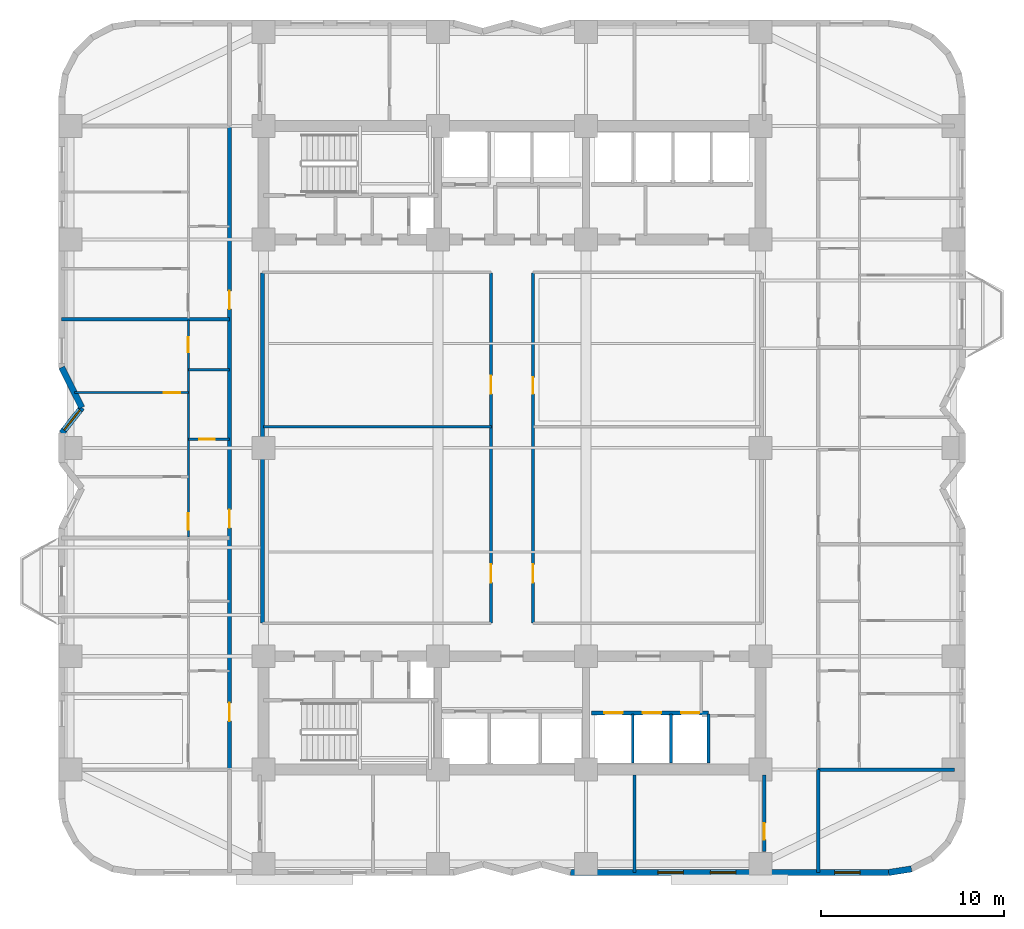
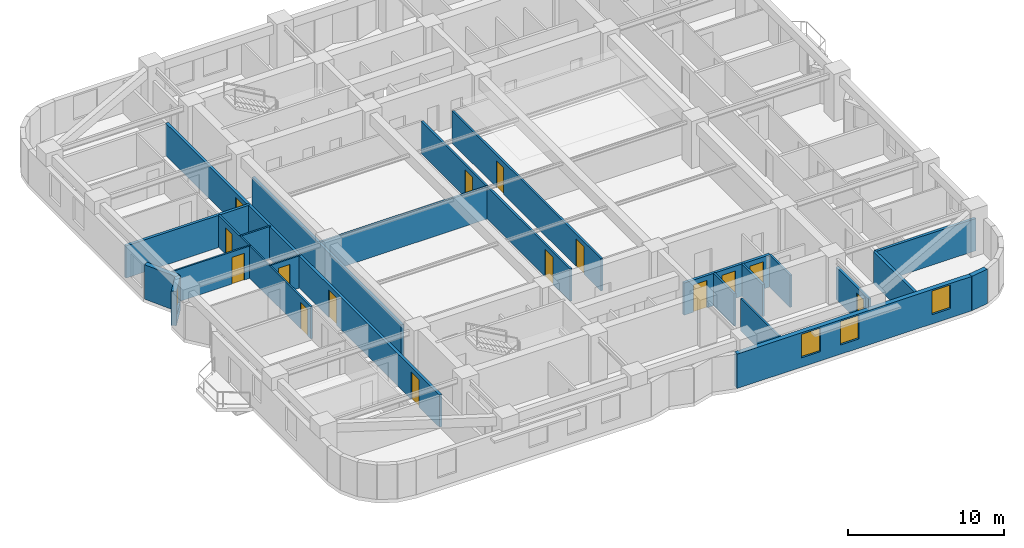
# One storey, part 4 of 10: 22 walls, 15 doors, 4 windows, 19 openings.
"""IFC4 building model written with IfcOpenShell, lengths in metres."""

from ifc_helpers import new_model, si_unit, direction, frame, frame_2d, origin, place, context, subcontext, project, spatial, rectangle, extrude, material, layer, layer_set, type_object, element, fill, save


model = new_model("IFC4")

# Units and contexts
model_context = context("Model", 3, precision=1e-05, world=origin(), true_north=direction((0.0, 1.0)))
body_context = subcontext(model_context, "Body", "Model", "MODEL_VIEW")
ifc_project = project(units=[si_unit("LENGTHUNIT", "METRE"), si_unit("AREAUNIT", "SQUARE_METRE"), si_unit("VOLUMEUNIT", "CUBIC_METRE"), si_unit("PLANEANGLEUNIT", "RADIAN"), si_unit("MASSUNIT", "GRAM", prefix="KILO")], contexts=[model_context])

# Site, building, storey
site_placement = place(None, origin())
site = spatial("IfcSite", under=ifc_project, at=site_placement, CompositionType="ELEMENT")
building_placement = place(site_placement, origin())
building = spatial("IfcBuilding", under=site, at=building_placement, Name="Svetorya Sky Lyceum", CompositionType="ELEMENT")
storey_placement = place(building_placement, frame((0.0, 0.0, 69.5)))
storey = spatial("IfcBuildingStorey", under=building, at=storey_placement, Name="L17", CompositionType="ELEMENT", Elevation=69.5)

# Wall, openings, windows
ifc_material_1 = material(Name="Putilovo limestone rainscreen on autoclaved cellular masonry", Category="masonry")
ifc_layer_1 = layer(ifc_material_1, 0.340087890625)
ifc_layer_set_1 = layer_set([ifc_layer_1], Name="Putilovo limestone rainscreen on autoclaved cellular masonry")
wall_type_1 = type_object("IfcWallType", Name="WL-EXT-340", PredefinedType="SOLIDWALL", material=ifc_layer_set_1)
wall_1_placement = place(storey_placement, frame((42.39990234375, 4.969970703125, 0.0), z_axis=(0.0, 0.0, 1.0), x_axis=(1.0, 0.0, 0.0)))
wall_1 = element("IfcWall", 1, at=wall_1_placement, inside=storey, type_object=wall_type_1, Name="L17 Limestone Exterior Wall 11M", PredefinedType="SOLIDWALL", context=body_context, shape_type="SweptSolid", body=[
    extrude(rectangle(XDim=17.400146484375, YDim=0.340087890625, at=frame_2d((8.7001953125, 0.0))), origin(), (0.0, 0.0, 1.0), 2.699951171875),
])
opening_1_placement = place(wall_1_placement, frame((4.780029296875, 0.0, 0.72998046875)))
opening_1 = element("IfcOpeningElement", 2, at=opening_1_placement, cuts=wall_1, Name="Opening W-R2", PredefinedType="OPENING", context=body_context, shape_type="SweptSolid", body=[
    extrude(rectangle(XDim=1.39990234375, YDim=1.85009765625, at=frame_2d((0.699951171875, 0.925048828125))), frame((0.0, 0.179931640625, 0.0), z_axis=(0.0, -1.0, 0.0), x_axis=(1.0, 0.0, 0.0)), (0.0, 0.0, 1.0), 0.360107421875),
])
opening_2_placement = place(wall_1_placement, frame((7.64990234375, 0.0, 0.72998046875)))
opening_2 = element("IfcOpeningElement", 3, at=opening_2_placement, cuts=wall_1, Name="Opening W-R2", PredefinedType="OPENING", context=body_context, shape_type="SweptSolid", body=[
    extrude(rectangle(XDim=1.39990234375, YDim=1.85009765625, at=frame_2d((0.699951171875, 0.925048828125))), frame((0.0, 0.179931640625, 0.0), z_axis=(0.0, -1.0, 0.0), x_axis=(1.0, 0.0, 0.0)), (0.0, 0.0, 1.0), 0.360107421875),
])
opening_3_placement = place(wall_1_placement, frame((14.43994140625, 0.0, 0.72998046875)))
opening_3 = element("IfcOpeningElement", 4, at=opening_3_placement, cuts=wall_1, Name="Opening W-R2", PredefinedType="OPENING", context=body_context, shape_type="SweptSolid", body=[
    extrude(rectangle(XDim=1.39990234375, YDim=1.85009765625, at=frame_2d((0.699951171875, 0.925048828125))), frame((0.0, 0.179931640625, 0.0), z_axis=(0.0, -1.0, 0.0), x_axis=(1.0, 0.0, 0.0)), (0.0, 0.0, 1.0), 0.360107421875),
])
ifc_material_2 = material(Name="Thermally broken aluminium frame with triple low-E glazing", Category="aluminium")
window_type = type_object("IfcWindowType", Name="WN-RES-140", PartitioningType="SINGLE_PANEL", PredefinedType="WINDOW", material=ifc_material_2)
window_1_placement = place(opening_1_placement, origin())
window_1 = element("IfcWindow", 5, at=window_1_placement, inside=storey, type_object=window_type, Name="L17 Facade Window W-R2.11M.1", OverallHeight=1.85009765625, OverallWidth=1.39990234375, PartitioningType="SINGLE_PANEL", PredefinedType="WINDOW", context=body_context, shape_type="SweptSolid", body=[
    extrude(rectangle(XDim=1.39990234375, YDim=1.85009765625, at=frame_2d((0.699951171875, 0.925048828125))), frame((0.0, 0.030029296875, 0.0), z_axis=(0.0, -1.0, 0.0), x_axis=(1.0, 0.0, 0.0)), (0.0, 0.0, 1.0), 0.06005859375),
])
fill(opening_1, window_1)
window_2_placement = place(opening_2_placement, origin())
window_2 = element("IfcWindow", 6, at=window_2_placement, inside=storey, type_object=window_type, Name="L17 Facade Window W-R2.11M.2", OverallHeight=1.85009765625, OverallWidth=1.39990234375, PartitioningType="SINGLE_PANEL", PredefinedType="WINDOW", context=body_context, shape_type="SweptSolid", body=[
    extrude(rectangle(XDim=1.39990234375, YDim=1.85009765625, at=frame_2d((0.699951171875, 0.925048828125))), frame((0.0, 0.030029296875, 0.0), z_axis=(0.0, -1.0, 0.0), x_axis=(1.0, 0.0, 0.0)), (0.0, 0.0, 1.0), 0.06005859375),
])
fill(opening_2, window_2)
window_3_placement = place(opening_3_placement, origin())
window_3 = element("IfcWindow", 7, at=window_3_placement, inside=storey, type_object=window_type, Name="L17 Facade Window W-R2.11M.3", OverallHeight=1.85009765625, OverallWidth=1.39990234375, PartitioningType="SINGLE_PANEL", PredefinedType="WINDOW", context=body_context, shape_type="SweptSolid", body=[
    extrude(rectangle(XDim=1.39990234375, YDim=1.85009765625, at=frame_2d((0.699951171875, 0.925048828125))), frame((0.0, 0.030029296875, 0.0), z_axis=(0.0, -1.0, 0.0), x_axis=(1.0, 0.0, 0.0)), (0.0, 0.0, 1.0), 0.06005859375),
])
fill(opening_3, window_3)

# Walls
wall_2_placement = place(storey_placement, frame((59.800048828125, 4.969970703125, 0.0), z_axis=(0.0, 0.0, 1.0), x_axis=(0.987685918112, 0.15644975923, 0.0)))
element("IfcWall", 8, at=wall_2_placement, inside=storey, type_object=wall_type_1, Name="L17 Limestone Exterior Wall 12M", PredefinedType="SOLIDWALL", context=body_context, shape_type="SweptSolid", body=[
    extrude(rectangle(XDim=1.260986328125, YDim=0.340087890625, at=frame_2d((0.63037109375, 0.0))), origin(), (0.0, 0.0, 1.0), 2.699951171875),
])
wall_3_placement = place(storey_placement, frame((14.570068359375, 32.60009765625, 0.0), z_axis=(0.0, 0.0, 1.0), x_axis=(0.44713419144, -0.894466888625, 0.0)))
element("IfcWall", 9, at=wall_3_placement, inside=storey, type_object=wall_type_1, Name="L17 Limestone Exterior Wall 41M", PredefinedType="SOLIDWALL", context=body_context, shape_type="SweptSolid", body=[
    extrude(rectangle(XDim=2.459716796875, YDim=0.340087890625, at=frame_2d((1.22998046875, 0.0))), origin(), (0.0, 0.0, 1.0), 2.699951171875),
])

# Wall, opening, window
wall_4_placement = place(storey_placement, frame((15.669921875, 30.39990234375, 0.0), z_axis=(0.0, 0.0, 1.0), x_axis=(-0.617797325735, -0.786337373088, 0.0)))
wall_4 = element("IfcWall", 10, at=wall_4_placement, inside=storey, type_object=wall_type_1, Name="L17 Limestone Exterior Wall 42M", PredefinedType="SOLIDWALL", context=body_context, shape_type="SweptSolid", body=[
    extrude(rectangle(XDim=1.7802734375, YDim=0.340087890625, at=frame_2d((0.89013671875, 0.0))), origin(), (0.0, 0.0, 1.0), 2.699951171875),
])
opening_4_placement = place(wall_4_placement, frame((0.159912109375, 0.0, 0.68994140625)))
opening_4 = element("IfcOpeningElement", 11, at=opening_4_placement, cuts=wall_4, Name="Opening W-R2", PredefinedType="OPENING", context=body_context, shape_type="SweptSolid", body=[
    extrude(rectangle(XDim=1.39990234375, YDim=1.85009765625, at=frame_2d((0.699951171875, 0.925048828125))), frame((0.0, 0.179931640625, 0.0), z_axis=(0.0, -1.0, 0.0), x_axis=(1.0, 0.0, 0.0)), (0.0, 0.0, 1.0), 0.360107421875),
])
window_4_placement = place(opening_4_placement, origin())
window_4 = element("IfcWindow", 12, at=window_4_placement, inside=storey, type_object=window_type, Name="L17 Facade Window W-R2.42M.1", OverallHeight=1.85009765625, OverallWidth=1.39990234375, PartitioningType="SINGLE_PANEL", PredefinedType="WINDOW", context=body_context, shape_type="SweptSolid", body=[
    extrude(rectangle(XDim=1.39990234375, YDim=1.85009765625, at=frame_2d((0.699951171875, 0.925048828125))), frame((0.0, 0.030029296875, 0.0), z_axis=(0.0, -1.0, 0.0), x_axis=(1.0, 0.0, 0.0)), (0.0, 0.0, 1.0), 0.06005859375),
])
fill(opening_4, window_4)

# Wall, opening, door
ifc_material_3 = material(Name="Twin-stud galvanized framing with double fireboard", Category="gypsum")
ifc_layer_2 = layer(ifc_material_3, 0.1201171875)
ifc_layer_set_2 = layer_set([ifc_layer_2], Name="Twin-stud galvanized framing with double fireboard")
wall_type_2 = type_object("IfcWallType", Name="WL-PART-120", PredefinedType="PARTITIONING", material=ifc_layer_set_2)
wall_5_placement = place(storey_placement, frame((21.5, 28.672119140625, 0.0), z_axis=(0.0, 0.0, 1.0), x_axis=(1.0, 0.0, 0.0)))
wall_5 = element("IfcWall", 13, at=wall_5_placement, inside=storey, type_object=wall_type_2, Name="L17 Interior Partition W2-WH1", PredefinedType="PARTITIONING", context=body_context, shape_type="SweptSolid", body=[
    extrude(rectangle(XDim=2.25, YDim=0.1201171875, at=frame_2d((1.125, 0.0))), origin(), (0.0, 0.0, 1.0), 2.530029296875),
])
opening_5_placement = place(wall_5_placement, frame((0.60009765625, 0.0, 0.0)))
opening_5 = element("IfcOpeningElement", 14, at=opening_5_placement, cuts=wall_5, Name="Opening D-BT1", PredefinedType="OPENING", context=body_context, shape_type="SweptSolid", body=[
    extrude(rectangle(XDim=0.85009765625, YDim=2.10009765625, at=frame_2d((0.425048828125, 1.050048828125))), frame((0.0, 0.070068359375, 0.0), z_axis=(0.0, -1.0, 0.0), x_axis=(1.0, 0.0, 0.0)), (0.0, 0.0, 1.0), 0.14013671875),
])
ifc_material_4 = material(Name="Moisture-resistant laminate bathroom door")
door_type_1 = type_object("IfcDoorType", Name="DR-WET-850", OperationType="SINGLE_SWING_LEFT", PredefinedType="DOOR", material=ifc_material_4)
door_1_placement = place(opening_5_placement, origin())
door_1 = element("IfcDoor", 15, at=door_1_placement, inside=storey, type_object=door_type_1, Name="Apartment W2 Bathroom Door", OperationType="SINGLE_SWING_RIGHT", OverallHeight=2.10009765625, OverallWidth=0.85009765625, PredefinedType="DOOR", context=body_context, shape_type="SweptSolid", body=[
    extrude(rectangle(XDim=0.85009765625, YDim=2.10009765625, at=frame_2d((0.425048828125, 1.050048828125))), frame((0.0, 0.02490234375, 0.0), z_axis=(0.0, -1.0, 0.0), x_axis=(1.0, 0.0, 0.0)), (0.0, 0.0, 1.0), 0.050048828125),
])
fill(opening_5, door_1)

wall_6_placement = place(storey_placement, frame((15.259033203125, 31.221923828125, 0.0), z_axis=(0.0, 0.0, 1.0), x_axis=(1.0, 0.0, 0.0)))
wall_6 = element("IfcWall", 16, at=wall_6_placement, inside=storey, type_object=wall_type_2, Name="L17 Interior Partition W2-WL2", PredefinedType="PARTITIONING", context=body_context, shape_type="SweptSolid", body=[
    extrude(rectangle(XDim=6.240966796875, YDim=0.1201171875, at=frame_2d((3.12060546875, 0.0))), origin(), (0.0, 0.0, 1.0), 2.530029296875),
])
opening_6_placement = place(wall_6_placement, frame((4.89111328125, 0.0, 0.0)))
opening_6 = element("IfcOpeningElement", 17, at=opening_6_placement, cuts=wall_6, Name="Opening D-RM1", PredefinedType="OPENING", context=body_context, shape_type="SweptSolid", body=[
    extrude(rectangle(XDim=0.89990234375, YDim=2.10009765625, at=frame_2d((0.449951171875, 1.050048828125))), frame((0.0, 0.070068359375, 0.0), z_axis=(0.0, -1.0, 0.0), x_axis=(1.0, 0.0, 0.0)), (0.0, 0.0, 1.0), 0.14013671875),
])
ifc_material_5 = material(Name="Lacquered birch veneer internal door")
door_type_2 = type_object("IfcDoorType", Name="DR-INT-900", OperationType="SINGLE_SWING_LEFT", PredefinedType="DOOR", material=ifc_material_5)
door_2_placement = place(opening_6_placement, origin())
door_2 = element("IfcDoor", 18, at=door_2_placement, inside=storey, type_object=door_type_2, Name="Apartment W2 Bedroom 2 Door", OperationType="SINGLE_SWING_LEFT", OverallHeight=2.10009765625, OverallWidth=0.89990234375, PredefinedType="DOOR", context=body_context, shape_type="SweptSolid", body=[
    extrude(rectangle(XDim=0.89990234375, YDim=2.10009765625, at=frame_2d((0.449951171875, 1.050048828125))), frame((0.0, 0.02490234375, 0.0), z_axis=(0.0, -1.0, 0.0), x_axis=(1.0, 0.0, 0.0)), (0.0, 0.0, 1.0), 0.050048828125),
])
fill(opening_6, door_2)

# Wall, openings, doors
wall_7_placement = place(storey_placement, frame((21.5, 23.31201171875, 0.0), z_axis=(0.0, 0.0, 1.0), x_axis=(0.0, 1.0, 0.0)))
wall_7 = element("IfcWall", 19, at=wall_7_placement, inside=storey, type_object=wall_type_2, Name="L17 Interior Partition W2-WV", PredefinedType="PARTITIONING", context=body_context, shape_type="SweptSolid", body=[
    extrude(rectangle(XDim=11.887939453125, YDim=0.1201171875, at=frame_2d((5.94384765625, 0.0))), origin(), (0.0, 0.0, 1.0), 2.530029296875),
])
opening_7_placement = place(wall_7_placement, frame((0.409912109375, 0.0, 0.0)))
opening_7 = element("IfcOpeningElement", 20, at=opening_7_placement, cuts=wall_7, Name="Opening D-RM1", PredefinedType="OPENING", context=body_context, shape_type="SweptSolid", body=[
    extrude(rectangle(XDim=0.89990234375, YDim=2.10009765625, at=frame_2d((0.449951171875, 1.050048828125))), frame((0.0, 0.070068359375, 0.0), z_axis=(0.0, -1.0, 0.0), x_axis=(1.0, 0.0, 0.0)), (0.0, 0.0, 1.0), 0.14013671875),
])
opening_8_placement = place(wall_7_placement, frame((10.118896484375, 0.0, 0.0)))
opening_8 = element("IfcOpeningElement", 21, at=opening_8_placement, cuts=wall_7, Name="Opening D-BT2", PredefinedType="OPENING", context=body_context, shape_type="SweptSolid", body=[
    extrude(rectangle(XDim=0.820068359375, YDim=2.080078125, at=frame_2d((0.41015625, 1.0400390625))), frame((0.0, 0.070068359375, 0.0), z_axis=(0.0, -1.0, 0.0), x_axis=(1.0, 0.0, 0.0)), (0.0, 0.0, 1.0), 0.14013671875),
])
door_3_placement = place(opening_7_placement, origin())
door_3 = element("IfcDoor", 22, at=door_3_placement, inside=storey, type_object=door_type_2, Name="Apartment W2 Living Door", OperationType="SINGLE_SWING_LEFT", OverallHeight=2.10009765625, OverallWidth=0.89990234375, PredefinedType="DOOR", context=body_context, shape_type="SweptSolid", body=[
    extrude(rectangle(XDim=0.89990234375, YDim=2.10009765625, at=frame_2d((0.449951171875, 1.050048828125))), frame((0.0, 0.02490234375, 0.0), z_axis=(0.0, -1.0, 0.0), x_axis=(1.0, 0.0, 0.0)), (0.0, 0.0, 1.0), 0.050048828125),
])
fill(opening_7, door_3)
ifc_material_6 = material(Name="Compact moisture-resistant laminate closet door")
door_type_3 = type_object("IfcDoorType", Name="DR-WET-820", OperationType="SINGLE_SWING_LEFT", PredefinedType="DOOR", material=ifc_material_6)
door_4_placement = place(opening_8_placement, origin())
door_4 = element("IfcDoor", 23, at=door_4_placement, inside=storey, type_object=door_type_3, Name="Apartment W2 Study Door", OperationType="SINGLE_SWING_RIGHT", OverallHeight=2.080078125, OverallWidth=0.820068359375, PredefinedType="DOOR", context=body_context, shape_type="SweptSolid", body=[
    extrude(rectangle(XDim=0.820068359375, YDim=2.080078125, at=frame_2d((0.41015625, 1.0400390625))), frame((0.0, 0.02490234375, 0.0), z_axis=(0.0, -1.0, 0.0), x_axis=(1.0, 0.0, 0.0)), (0.0, 0.0, 1.0), 0.050048828125),
])
fill(opening_8, door_4)

# Walls
ifc_material_7 = material(Name="Twin-stud galvanized framing with acoustic board", Category="gypsum")
ifc_layer_3 = layer(ifc_material_7, 0.135009765625)
ifc_layer_set_3 = layer_set([ifc_layer_3], Name="Twin-stud galvanized framing with acoustic board")
wall_type_3 = type_object("IfcWallType", Name="WL-PART-135", PredefinedType="PARTITIONING", material=ifc_layer_set_3)
wall_8_placement = place(storey_placement, frame((21.5, 32.471923828125, 0.0), z_axis=(0.0, 0.0, 1.0), x_axis=(1.0, 0.0, 0.0)))
element("IfcWall", 24, at=wall_8_placement, inside=storey, type_object=wall_type_3, Name="L17 Interior Partition W2-WH2", PredefinedType="PARTITIONING", context=body_context, shape_type="SweptSolid", body=[
    extrude(rectangle(XDim=2.25, YDim=0.135009765625, at=frame_2d((1.125, 0.0))), origin(), (0.0, 0.0, 1.0), 2.530029296875),
])
ifc_material_8 = material(Name="Autoclaved cellular masonry blockwork with acoustic render", Category="masonry")
ifc_layer_4 = layer(ifc_material_8, 0.14990234375)
ifc_layer_set_4 = layer_set([ifc_layer_4], Name="Autoclaved cellular masonry blockwork with acoustic render")
wall_type_4 = type_object("IfcWallType", Name="WL-PART-150", PredefinedType="PARTITIONING", material=ifc_layer_set_4)
for number, where, z_axis, x_axis, name in (
    (25, (45.800048828125, 10.949951171875, 0.0), (0.0, 0.0, 1.0), (0.0, 1.0, 0.0), "L17 Interior Partition SC-PL-DIV1"),
    (26, (47.89990234375, 10.949951171875, 0.0), (0.0, 0.0, 1.0), (0.0, 1.0, 0.0), "L17 Interior Partition SC-PL-DIV2"),
    (27, (49.949951171875, 10.949951171875, 0.0), (0.0, 0.0, 1.0), (0.0, 1.0, 0.0), "L17 Interior Partition SC-PL-END"),
):
    element("IfcWall", number, at=place(storey_placement, frame(where, z_axis=z_axis, x_axis=x_axis)), inside=storey, type_object=wall_type_4, Name=name, PredefinedType="PARTITIONING", context=body_context, shape_type="SweptSolid", body=[
        extrude(rectangle(XDim=2.699951171875, YDim=0.14990234375, at=frame_2d((1.35009765625, 0.0))), origin(), (0.0, 0.0, 1.0), 2.530029296875),
    ])
wall_9_placement = place(storey_placement, frame((25.60009765625, 29.348388671875, 0.0), z_axis=(0.0, 0.0, 1.0), x_axis=(1.0, 0.0, 0.0)))
element("IfcWall", 28, at=wall_9_placement, inside=storey, type_object=wall_type_4, Name="L17 Interior Partition CEN-HW", PredefinedType="PARTITIONING", context=body_context, shape_type="SweptSolid", body=[
    extrude(rectangle(XDim=12.469970703125, YDim=0.14990234375, at=frame_2d((6.23486328125, 0.0))), origin(), (0.0, 0.0, 1.0), 2.530029296875),
])

# Wall, openings, doors
wall_10_placement = place(storey_placement, frame((38.050048828125, 18.6298828125, 0.0), z_axis=(0.0, 0.0, 1.0), x_axis=(0.0, 1.0, 0.0)))
wall_10 = element("IfcWall", 29, at=wall_10_placement, inside=storey, type_object=wall_type_4, Name="L17 Interior Partition CEN-VW", PredefinedType="PARTITIONING", context=body_context, shape_type="SweptSolid", body=[
    extrude(rectangle(XDim=19.14013671875, YDim=0.14990234375, at=frame_2d((9.570068359375, 0.0))), origin(), (0.0, 0.0, 1.0), 2.530029296875),
])
opening_9_placement = place(wall_10_placement, frame((2.199951171875, 0.0, 0.0)))
opening_9 = element("IfcOpeningElement", 30, at=opening_9_placement, cuts=wall_10, Name="Opening D-RM2", PredefinedType="OPENING", context=body_context, shape_type="SweptSolid", body=[
    extrude(rectangle(XDim=1.0, YDim=2.14990234375, at=frame_2d((0.5, 1.074951171875))), frame((0.0, 0.0849609375, 0.0), z_axis=(0.0, -1.0, 0.0), x_axis=(1.0, 0.0, 0.0)), (0.0, 0.0, 1.0), 0.169921875),
])
opening_10_placement = place(wall_10_placement, frame((12.518310546875, 0.0, 0.0)))
opening_10 = element("IfcOpeningElement", 31, at=opening_10_placement, cuts=wall_10, Name="Opening D-RM2", PredefinedType="OPENING", context=body_context, shape_type="SweptSolid", body=[
    extrude(rectangle(XDim=1.0, YDim=2.14990234375, at=frame_2d((0.5, 1.074951171875))), frame((0.0, 0.0849609375, 0.0), z_axis=(0.0, -1.0, 0.0), x_axis=(1.0, 0.0, 0.0)), (0.0, 0.0, 1.0), 0.169921875),
])
ifc_material_9 = material(Name="Solid-core oak acoustic room door")
door_type_4 = type_object("IfcDoorType", Name="DR-INT-1000", OperationType="SINGLE_SWING_LEFT", PredefinedType="DOOR", material=ifc_material_9)
door_5_placement = place(opening_9_placement, origin())
door_5 = element("IfcDoor", 32, at=door_5_placement, inside=storey, type_object=door_type_4, Name="L17 Meeting Door", OperationType="SINGLE_SWING_LEFT", OverallHeight=2.14990234375, OverallWidth=1.0, PredefinedType="DOOR", context=body_context, shape_type="SweptSolid", body=[
    extrude(rectangle(XDim=1.0, YDim=2.14990234375, at=frame_2d((0.5, 1.074951171875))), frame((0.0, 0.02490234375, 0.0), z_axis=(0.0, -1.0, 0.0), x_axis=(1.0, 0.0, 0.0)), (0.0, 0.0, 1.0), 0.050048828125),
])
fill(opening_9, door_5)
door_6_placement = place(opening_10_placement, origin())
door_6 = element("IfcDoor", 33, at=door_6_placement, inside=storey, type_object=door_type_4, Name="L17 Focus Door", OperationType="SINGLE_SWING_RIGHT", OverallHeight=2.14990234375, OverallWidth=1.0, PredefinedType="DOOR", context=body_context, shape_type="SweptSolid", body=[
    extrude(rectangle(XDim=1.0, YDim=2.14990234375, at=frame_2d((0.5, 1.074951171875))), frame((0.0, 0.02490234375, 0.0), z_axis=(0.0, -1.0, 0.0), x_axis=(1.0, 0.0, 0.0)), (0.0, 0.0, 1.0), 0.050048828125),
])
fill(opening_10, door_6)

wall_11_placement = place(storey_placement, frame((40.35009765625, 18.6298828125, 0.0), z_axis=(0.0, 0.0, 1.0), x_axis=(0.0, 1.0, 0.0)))
wall_11 = element("IfcWall", 34, at=wall_11_placement, inside=storey, type_object=wall_type_4, Name="L17 Interior Partition CEN-VE", PredefinedType="PARTITIONING", context=body_context, shape_type="SweptSolid", body=[
    extrude(rectangle(XDim=19.14013671875, YDim=0.14990234375, at=frame_2d((9.570068359375, 0.0))), origin(), (0.0, 0.0, 1.0), 2.530029296875),
])
opening_11_placement = place(wall_11_placement, frame((2.199951171875, 0.0, 0.0)))
opening_11 = element("IfcOpeningElement", 35, at=opening_11_placement, cuts=wall_11, Name="Opening D-RM2", PredefinedType="OPENING", context=body_context, shape_type="SweptSolid", body=[
    extrude(rectangle(XDim=1.0, YDim=2.14990234375, at=frame_2d((0.5, 1.074951171875))), frame((0.0, 0.0849609375, 0.0), z_axis=(0.0, -1.0, 0.0), x_axis=(1.0, 0.0, 0.0)), (0.0, 0.0, 1.0), 0.169921875),
])
opening_12_placement = place(wall_11_placement, frame((12.518310546875, 0.0, 0.0)))
opening_12 = element("IfcOpeningElement", 36, at=opening_12_placement, cuts=wall_11, Name="Opening D-RM1", PredefinedType="OPENING", context=body_context, shape_type="SweptSolid", body=[
    extrude(rectangle(XDim=0.89990234375, YDim=2.10009765625, at=frame_2d((0.449951171875, 1.050048828125))), frame((0.0, 0.0849609375, 0.0), z_axis=(0.0, -1.0, 0.0), x_axis=(1.0, 0.0, 0.0)), (0.0, 0.0, 1.0), 0.169921875),
])
door_7_placement = place(opening_11_placement, origin())
door_7 = element("IfcDoor", 37, at=door_7_placement, inside=storey, type_object=door_type_4, Name="L17 Office Door", OperationType="SINGLE_SWING_RIGHT", OverallHeight=2.14990234375, OverallWidth=1.0, PredefinedType="DOOR", context=body_context, shape_type="SweptSolid", body=[
    extrude(rectangle(XDim=1.0, YDim=2.14990234375, at=frame_2d((0.5, 1.074951171875))), frame((0.0, 0.02490234375, 0.0), z_axis=(0.0, -1.0, 0.0), x_axis=(1.0, 0.0, 0.0)), (0.0, 0.0, 1.0), 0.050048828125),
])
fill(opening_11, door_7)
door_8_placement = place(opening_12_placement, origin())
door_8 = element("IfcDoor", 38, at=door_8_placement, inside=storey, type_object=door_type_2, Name="L17 Pantry Door", OperationType="SINGLE_SWING_LEFT", OverallHeight=2.10009765625, OverallWidth=0.89990234375, PredefinedType="DOOR", context=body_context, shape_type="SweptSolid", body=[
    extrude(rectangle(XDim=0.89990234375, YDim=2.10009765625, at=frame_2d((0.449951171875, 1.050048828125))), frame((0.0, 0.02490234375, 0.0), z_axis=(0.0, -1.0, 0.0), x_axis=(1.0, 0.0, 0.0)), (0.0, 0.0, 1.0), 0.050048828125),
])
fill(opening_12, door_8)

# Wall
wall_12_placement = place(storey_placement, frame((45.89990234375, 4.969970703125, 0.0), z_axis=(0.0, 0.0, 1.0), x_axis=(0.0, 1.0, 0.0)))
element("IfcWall", 39, at=wall_12_placement, inside=storey, type_object=wall_type_4, Name="L17 Interior Partition S-D2", PredefinedType="PARTITIONING", context=body_context, shape_type="SweptSolid", body=[
    extrude(rectangle(XDim=5.330078125, YDim=0.14990234375, at=frame_2d((2.6650390625, 0.0))), origin(), (0.0, 0.0, 1.0), 2.530029296875),
])

# Wall, openings, doors
ifc_material_10 = material(Name="Autoclaved cellular masonry blockwork with gypsum plaster", Category="masonry")
ifc_layer_5 = layer(ifc_material_10, 0.199951171875)
ifc_layer_set_5 = layer_set([ifc_layer_5], Name="Autoclaved cellular masonry blockwork with gypsum plaster")
wall_type_5 = type_object("IfcWallType", Name="WL-PART-200", PredefinedType="PARTITIONING", material=ifc_layer_set_5)
wall_13_placement = place(storey_placement, frame((43.550048828125, 13.699951171875, 0.0), z_axis=(0.0, 0.0, 1.0), x_axis=(1.0, 0.0, 0.0)))
wall_13 = element("IfcWall", 40, at=wall_13_placement, inside=storey, type_object=wall_type_5, Name="L17 Interior Partition SC-PLW", PredefinedType="PARTITIONING", context=body_context, shape_type="SweptSolid", body=[
    extrude(rectangle(XDim=6.39990234375, YDim=0.199951171875, at=frame_2d((3.199951171875, 0.0))), origin(), (0.0, 0.0, 1.0), 2.530029296875),
])
opening_13_placement = place(wall_13_placement, frame((0.699951171875, 0.0, 0.0)))
opening_13 = element("IfcOpeningElement", 41, at=opening_13_placement, cuts=wall_13, Name="Opening LD-P1", PredefinedType="OPENING", context=body_context, shape_type="SweptSolid", body=[
    extrude(rectangle(XDim=1.0, YDim=2.14990234375, at=frame_2d((0.5, 1.074951171875))), frame((0.0, 0.10986328125, 0.0), z_axis=(0.0, -1.0, 0.0), x_axis=(1.0, 0.0, 0.0)), (0.0, 0.0, 1.0), 0.219970703125),
])
opening_14_placement = place(wall_13_placement, frame((2.800048828125, 0.0, 0.0)))
opening_14 = element("IfcOpeningElement", 42, at=opening_14_placement, cuts=wall_13, Name="Opening LD-P1", PredefinedType="OPENING", context=body_context, shape_type="SweptSolid", body=[
    extrude(rectangle(XDim=1.0, YDim=2.14990234375, at=frame_2d((0.5, 1.074951171875))), frame((0.0, 0.10986328125, 0.0), z_axis=(0.0, -1.0, 0.0), x_axis=(1.0, 0.0, 0.0)), (0.0, 0.0, 1.0), 0.219970703125),
])
opening_15_placement = place(wall_13_placement, frame((4.89990234375, 0.0, 0.0)))
opening_15 = element("IfcOpeningElement", 43, at=opening_15_placement, cuts=wall_13, Name="Opening LD-P1", PredefinedType="OPENING", context=body_context, shape_type="SweptSolid", body=[
    extrude(rectangle(XDim=1.0, YDim=2.14990234375, at=frame_2d((0.5, 1.074951171875))), frame((0.0, 0.10986328125, 0.0), z_axis=(0.0, -1.0, 0.0), x_axis=(1.0, 0.0, 0.0)), (0.0, 0.0, 1.0), 0.219970703125),
])
ifc_material_11 = material(Name="Champagne-anodized stainless passenger lift landing door")
door_type_5 = type_object("IfcDoorType", Name="DR-LIFT-1000", OperationType="SLIDING_TO_LEFT", PredefinedType="DOOR", material=ifc_material_11)
door_9_placement = place(opening_13_placement, origin())
door_9 = element("IfcDoor", 44, at=door_9_placement, inside=storey, type_object=door_type_5, Name="L17 Passenger Lift PL1 Landing Door", OperationType="SLIDING_TO_LEFT", OverallHeight=2.14990234375, OverallWidth=1.0, PredefinedType="DOOR", context=body_context, shape_type="SweptSolid", body=[
    extrude(rectangle(XDim=1.0, YDim=2.14990234375, at=frame_2d((0.5, 1.074951171875))), frame((0.0, 0.02490234375, 0.0), z_axis=(0.0, -1.0, 0.0), x_axis=(1.0, 0.0, 0.0)), (0.0, 0.0, 1.0), 0.050048828125),
])
fill(opening_13, door_9)
door_10_placement = place(opening_14_placement, origin())
door_10 = element("IfcDoor", 45, at=door_10_placement, inside=storey, type_object=door_type_5, Name="L17 Passenger Lift PL2 Landing Door", OperationType="SLIDING_TO_LEFT", OverallHeight=2.14990234375, OverallWidth=1.0, PredefinedType="DOOR", context=body_context, shape_type="SweptSolid", body=[
    extrude(rectangle(XDim=1.0, YDim=2.14990234375, at=frame_2d((0.5, 1.074951171875))), frame((0.0, 0.02490234375, 0.0), z_axis=(0.0, -1.0, 0.0), x_axis=(1.0, 0.0, 0.0)), (0.0, 0.0, 1.0), 0.050048828125),
])
fill(opening_14, door_10)
door_11_placement = place(opening_15_placement, origin())
door_11 = element("IfcDoor", 46, at=door_11_placement, inside=storey, type_object=door_type_5, Name="L17 Passenger Lift PL3 Landing Door", OperationType="SLIDING_TO_LEFT", OverallHeight=2.14990234375, OverallWidth=1.0, PredefinedType="DOOR", context=body_context, shape_type="SweptSolid", body=[
    extrude(rectangle(XDim=1.0, YDim=2.14990234375, at=frame_2d((0.5, 1.074951171875))), frame((0.0, 0.02490234375, 0.0), z_axis=(0.0, -1.0, 0.0), x_axis=(1.0, 0.0, 0.0)), (0.0, 0.0, 1.0), 0.050048828125),
])
fill(opening_15, door_11)

# Walls
wall_14_placement = place(storey_placement, frame((25.550048828125, 18.6298828125, 0.0), z_axis=(0.0, 0.0, 1.0), x_axis=(0.0, 1.0, 0.0)))
element("IfcWall", 47, at=wall_14_placement, inside=storey, type_object=wall_type_5, Name="L17 Interior Partition W-CEN-SEP", PredefinedType="PARTITIONING", context=body_context, shape_type="SweptSolid", body=[
    extrude(rectangle(XDim=19.14013671875, YDim=0.199951171875, at=frame_2d((9.570068359375, 0.0))), origin(), (0.0, 0.0, 1.0), 2.530029296875),
])
wall_15_placement = place(storey_placement, frame((14.570068359375, 35.239990234375, 0.0), z_axis=(0.0, 0.0, 1.0), x_axis=(1.0, 0.0, 0.0)))
element("IfcWall", 48, at=wall_15_placement, inside=storey, type_object=wall_type_5, Name="L17 Interior Partition W-PARTY-2", PredefinedType="PARTITIONING", context=body_context, shape_type="SweptSolid", body=[
    extrude(rectangle(XDim=9.179931640625, YDim=0.199951171875, at=frame_2d((4.58984375, 0.0))), origin(), (0.0, 0.0, 1.0), 2.530029296875),
])

# Wall, openings, doors
wall_16_placement = place(storey_placement, frame((23.75, 10.60009765625, 0.0), z_axis=(0.0, 0.0, 1.0), x_axis=(0.0, 1.0, 0.0)))
wall_16 = element("IfcWall", 49, at=wall_16_placement, inside=storey, type_object=wall_type_5, Name="L17 Interior Partition W-CORRW", PredefinedType="PARTITIONING", context=body_context, shape_type="SweptSolid", body=[
    extrude(rectangle(XDim=35.199951171875, YDim=0.199951171875, at=frame_2d((17.60009765625, 0.0))), origin(), (0.0, 0.0, 1.0), 2.530029296875),
])
opening_16_placement = place(wall_16_placement, frame((2.64990234375, 0.0, 0.0)))
opening_16 = element("IfcOpeningElement", 50, at=opening_16_placement, cuts=wall_16, Name="Opening D-APT1", PredefinedType="OPENING", context=body_context, shape_type="SweptSolid", body=[
    extrude(rectangle(XDim=1.0, YDim=2.14990234375, at=frame_2d((0.5, 1.074951171875))), frame((0.0, 0.10986328125, 0.0), z_axis=(0.0, -1.0, 0.0), x_axis=(1.0, 0.0, 0.0)), (0.0, 0.0, 1.0), 0.219970703125),
])
opening_17_placement = place(wall_16_placement, frame((13.221923828125, 0.0, 0.0)))
opening_17 = element("IfcOpeningElement", 51, at=opening_17_placement, cuts=wall_16, Name="Opening D-APT1", PredefinedType="OPENING", context=body_context, shape_type="SweptSolid", body=[
    extrude(rectangle(XDim=1.0, YDim=2.14990234375, at=frame_2d((0.5, 1.074951171875))), frame((0.0, 0.10986328125, 0.0), z_axis=(0.0, -1.0, 0.0), x_axis=(1.0, 0.0, 0.0)), (0.0, 0.0, 1.0), 0.219970703125),
])
opening_18_placement = place(wall_16_placement, frame((25.18994140625, 0.0, 0.0)))
opening_18 = element("IfcOpeningElement", 52, at=opening_18_placement, cuts=wall_16, Name="Opening D-APT1", PredefinedType="OPENING", context=body_context, shape_type="SweptSolid", body=[
    extrude(rectangle(XDim=1.0, YDim=2.14990234375, at=frame_2d((0.5, 1.074951171875))), frame((0.0, 0.10986328125, 0.0), z_axis=(0.0, -1.0, 0.0), x_axis=(1.0, 0.0, 0.0)), (0.0, 0.0, 1.0), 0.219970703125),
])
ifc_material_12 = material(Name="Insulated oak-veneered apartment entrance door")
door_type_6 = type_object("IfcDoorType", Name="DR-APT-1000", OperationType="SINGLE_SWING_LEFT", PredefinedType="DOOR", material=ifc_material_12)
door_12_placement = place(opening_16_placement, origin())
door_12 = element("IfcDoor", 53, at=door_12_placement, inside=storey, type_object=door_type_6, Name="L17 Apartment W1 Entrance Door", OperationType="SINGLE_SWING_LEFT", OverallHeight=2.14990234375, OverallWidth=1.0, PredefinedType="DOOR", context=body_context, shape_type="SweptSolid", body=[
    extrude(rectangle(XDim=1.0, YDim=2.14990234375, at=frame_2d((0.5, 1.074951171875))), frame((0.0, 0.02490234375, 0.0), z_axis=(0.0, -1.0, 0.0), x_axis=(1.0, 0.0, 0.0)), (0.0, 0.0, 1.0), 0.050048828125),
])
fill(opening_16, door_12)
door_13_placement = place(opening_17_placement, origin())
door_13 = element("IfcDoor", 54, at=door_13_placement, inside=storey, type_object=door_type_6, Name="L17 Apartment W2 Entrance Door", OperationType="SINGLE_SWING_RIGHT", OverallHeight=2.14990234375, OverallWidth=1.0, PredefinedType="DOOR", context=body_context, shape_type="SweptSolid", body=[
    extrude(rectangle(XDim=1.0, YDim=2.14990234375, at=frame_2d((0.5, 1.074951171875))), frame((0.0, 0.02490234375, 0.0), z_axis=(0.0, -1.0, 0.0), x_axis=(1.0, 0.0, 0.0)), (0.0, 0.0, 1.0), 0.050048828125),
])
fill(opening_17, door_13)
door_14_placement = place(opening_18_placement, origin())
door_14 = element("IfcDoor", 55, at=door_14_placement, inside=storey, type_object=door_type_6, Name="L17 Apartment W3 Entrance Door", OperationType="SINGLE_SWING_LEFT", OverallHeight=2.14990234375, OverallWidth=1.0, PredefinedType="DOOR", context=body_context, shape_type="SweptSolid", body=[
    extrude(rectangle(XDim=1.0, YDim=2.14990234375, at=frame_2d((0.5, 1.074951171875))), frame((0.0, 0.02490234375, 0.0), z_axis=(0.0, -1.0, 0.0), x_axis=(1.0, 0.0, 0.0)), (0.0, 0.0, 1.0), 0.050048828125),
])
fill(opening_18, door_14)

# Walls
wall_17_placement = place(storey_placement, frame((55.949951171875, 10.60009765625, 0.0), z_axis=(0.0, 0.0, 1.0), x_axis=(1.0, 0.0, 0.0)))
element("IfcWall", 56, at=wall_17_placement, inside=storey, type_object=wall_type_5, Name="L17 Interior Partition E-CAP-S", PredefinedType="PARTITIONING", context=body_context, shape_type="SweptSolid", body=[
    extrude(rectangle(XDim=7.4599609375, YDim=0.199951171875, at=frame_2d((3.72998046875, 0.0))), origin(), (0.0, 0.0, 1.0), 2.530029296875),
])
wall_18_placement = place(storey_placement, frame((55.949951171875, 4.969970703125, 0.0), z_axis=(0.0, 0.0, 1.0), x_axis=(0.0, 1.0, 0.0)))
element("IfcWall", 57, at=wall_18_placement, inside=storey, type_object=wall_type_5, Name="L17 Interior Partition EC-SE-END", PredefinedType="PARTITIONING", context=body_context, shape_type="SweptSolid", body=[
    extrude(rectangle(XDim=5.630126953125, YDim=0.199951171875, at=frame_2d((2.81494140625, 0.0))), origin(), (0.0, 0.0, 1.0), 2.530029296875),
])

# Wall, opening, door
wall_19_placement = place(storey_placement, frame((53.0, 6.1201171875, 0.0), z_axis=(0.0, 0.0, 1.0), x_axis=(0.0, 1.0, 0.0)))
wall_19 = element("IfcWall", 58, at=wall_19_placement, inside=storey, type_object=wall_type_5, Name="L17 Interior Partition S-EE", PredefinedType="PARTITIONING", context=body_context, shape_type="SweptSolid", body=[
    extrude(rectangle(XDim=4.179931640625, YDim=0.199951171875, at=frame_2d((2.08984375, 0.0))), origin(), (0.0, 0.0, 1.0), 2.530029296875),
])
opening_19_placement = place(wall_19_placement, frame((0.64990234375, 0.0, 0.0)))
opening_19 = element("IfcOpeningElement", 59, at=opening_19_placement, cuts=wall_19, Name="Opening D-RM1", PredefinedType="OPENING", context=body_context, shape_type="SweptSolid", body=[
    extrude(rectangle(XDim=0.89990234375, YDim=2.10009765625, at=frame_2d((0.449951171875, 1.050048828125))), frame((0.0, 0.10986328125, 0.0), z_axis=(0.0, -1.0, 0.0), x_axis=(1.0, 0.0, 0.0)), (0.0, 0.0, 1.0), 0.219970703125),
])
door_15_placement = place(opening_19_placement, origin())
door_15 = element("IfcDoor", 60, at=door_15_placement, inside=storey, type_object=door_type_2, Name="L17 South Focus Door", OperationType="SINGLE_SWING_RIGHT", OverallHeight=2.10009765625, OverallWidth=0.89990234375, PredefinedType="DOOR", context=body_context, shape_type="SweptSolid", body=[
    extrude(rectangle(XDim=0.89990234375, YDim=2.10009765625, at=frame_2d((0.449951171875, 1.050048828125))), frame((0.0, 0.02490234375, 0.0), z_axis=(0.0, -1.0, 0.0), x_axis=(1.0, 0.0, 0.0)), (0.0, 0.0, 1.0), 0.050048828125),
])
fill(opening_19, door_15)

save(model, "model.ifc")
